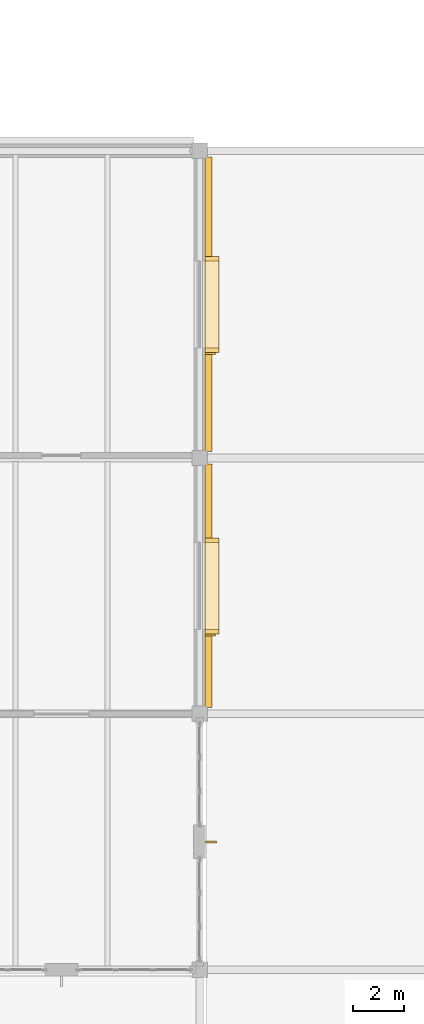
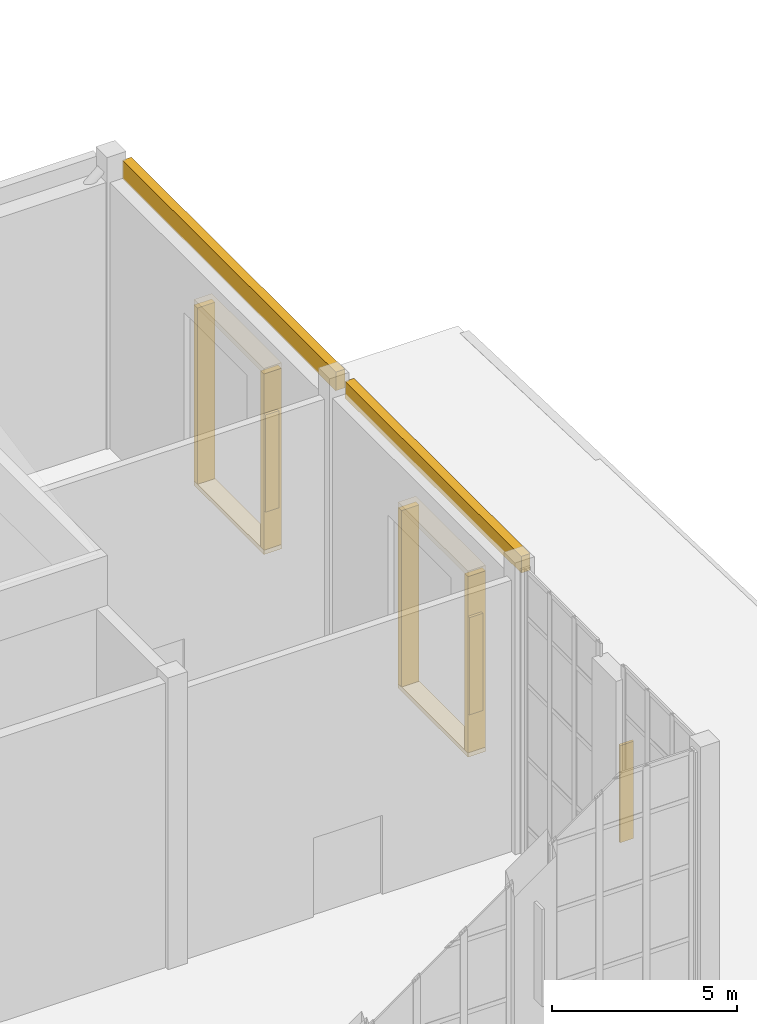
# One storey, part 100 of 100: 10 coverings, 3 shading devices.
"""IFC4 building model written with IfcOpenShell, lengths in metres."""

from ifc_helpers import new_model, si_unit, direction, frame, origin, origin_2d, place, context, subcontext, project, spatial, rectangle, extrude, material, layer, layer_set, type_object, element, save


model = new_model("IFC4")

# Units and contexts
model_context = context("Model", 3, precision=1e-05, world=origin(), true_north=direction((0.0, 1.0)))
body_context = subcontext(model_context, "Body", "Model", "MODEL_VIEW")
ifc_project = project(units=[si_unit("LENGTHUNIT", "METRE"), si_unit("AREAUNIT", "SQUARE_METRE"), si_unit("VOLUMEUNIT", "CUBIC_METRE"), si_unit("PLANEANGLEUNIT", "RADIAN"), si_unit("MASSUNIT", "GRAM", prefix="KILO")], contexts=[model_context])

# Site, building, storey
site_placement = place(None, origin())
site = spatial("IfcSite", under=ifc_project, at=site_placement, CompositionType="ELEMENT")
building_placement = place(site_placement, origin())
building = spatial("IfcBuilding", under=site, at=building_placement, Name="Tasgan Crest Museum", CompositionType="ELEMENT")
storey_placement = place(building_placement, frame((0.0, 0.0, 14.39990234375)))
storey = spatial("IfcBuildingStorey", under=building, at=storey_placement, Name="L03", CompositionType="ELEMENT", Elevation=14.39990234375)

# Coverings
ifc_material_1 = material(Name="Honed Rose-Red Mongolian Granite", Category="masonry")
ifc_layer_1 = layer(ifc_material_1, 0.0400390625, Name="COV-GRANITE-ROSE")
ifc_layer_set_1 = layer_set([ifc_layer_1], Name="Honed Rose-Red Mongolian Granite")
covering_type_1 = type_object("IfcCoveringType", Name="COV-GRANITE-ROSE", PredefinedType="CLADDING", material=ifc_layer_set_1)
for number, where, z_axis, x_axis, name in (
    (1, (130.0849609375, 43.2099609375, 1.10009765625), (0.0, 0.0, 1.0), (0.0, 1.0, 0.0), "Deep window reveal jamb L03-048"),
    (2, (130.0849609375, 46.7900390625, 1.10009765625), (0.0, 0.0, 1.0), (0.0, 1.0, 0.0), "Deep window reveal jamb L03-048"),
    (3, (130.0849609375, 54.2099609375, 1.10009765625), (0.0, 0.0, 1.0), (0.0, 1.0, 0.0), "Deep window reveal jamb L03-049"),
    (4, (130.0849609375, 57.7900390625, 1.10009765625), (0.0, 0.0, 1.0), (0.0, 1.0, 0.0), "Deep window reveal jamb L03-049"),
):
    element("IfcCovering", number, at=place(storey_placement, frame(where, z_axis=z_axis, x_axis=x_axis)), inside=storey, type_object=covering_type_1, Name=name, PredefinedType="CLADDING", context=body_context, shape_type="SweptSolid", body=[
        extrude(rectangle(XDim=0.179931640625, YDim=0.550048828125, at=origin_2d()), origin(), (0.0, 0.0, 1.0), 5.800048828125),
    ])
ifc_material_2 = material(Name="Honed Buff Limestone", Category="masonry")
ifc_layer_2 = layer(ifc_material_2, 0.044921875, Name="COV-LIMESTONE-BUFF")
ifc_layer_set_2 = layer_set([ifc_layer_2], Name="Honed Buff Limestone")
covering_type_2 = type_object("IfcCoveringType", Name="COV-LIMESTONE-BUFF", PredefinedType="CLADDING", material=ifc_layer_set_2)
covering_1_placement = place(storey_placement, frame((129.949951171875, 45.0, 8.76025390625), z_axis=(0.0, 0.0, 1.0), x_axis=(0.0, 1.0, 0.0)))
element("IfcCovering", 5, at=covering_1_placement, inside=storey, type_object=covering_type_2, Name="Stone frieze cladding L03", PredefinedType="CLADDING", context=body_context, shape_type="SweptSolid", body=[
    extrude(rectangle(XDim=9.510009765625, YDim=0.280029296875, at=origin_2d()), origin(), (0.0, 0.0, 1.0), 0.550048828125),
])
covering_2_placement = place(storey_placement, frame((130.0849609375, 45.0, 6.89990234375), z_axis=(0.0, 0.0, 1.0), x_axis=(0.0, 1.0, 0.0)))
element("IfcCovering", 6, at=covering_2_placement, inside=storey, type_object=covering_type_2, Name="Deep window hood L03-048", PredefinedType="CLADDING", context=body_context, shape_type="SweptSolid", body=[
    extrude(rectangle(XDim=3.760009765625, YDim=0.550048828125, at=origin_2d()), origin(), (0.0, 0.0, 1.0), 0.179931640625),
])
covering_3_placement = place(storey_placement, frame((130.0849609375, 45.0, 0.9599609375), z_axis=(0.0, 0.0, 1.0), x_axis=(0.0, 1.0, 0.0)))
element("IfcCovering", 7, at=covering_3_placement, inside=storey, type_object=covering_type_2, Name="Deep window sill L03-048", PredefinedType="CLADDING", context=body_context, shape_type="SweptSolid", body=[
    extrude(rectangle(XDim=3.760009765625, YDim=0.550048828125, at=origin_2d()), origin(), (0.0, 0.0, 1.0), 0.139892578125),
])
covering_4_placement = place(storey_placement, frame((129.949951171875, 56.0, 8.69921875), z_axis=(0.0, 0.0, 1.0), x_axis=(0.0, 1.0, 0.0)))
element("IfcCovering", 8, at=covering_4_placement, inside=storey, type_object=covering_type_2, Name="Stone frieze cladding L03", PredefinedType="CLADDING", context=body_context, shape_type="SweptSolid", body=[
    extrude(rectangle(XDim=11.510009765625, YDim=0.280029296875, at=origin_2d()), origin(), (0.0, 0.0, 1.0), 0.611083984375),
])
covering_5_placement = place(storey_placement, frame((130.0849609375, 56.0, 6.89990234375), z_axis=(0.0, 0.0, 1.0), x_axis=(0.0, 1.0, 0.0)))
element("IfcCovering", 9, at=covering_5_placement, inside=storey, type_object=covering_type_2, Name="Deep window hood L03-049", PredefinedType="CLADDING", context=body_context, shape_type="SweptSolid", body=[
    extrude(rectangle(XDim=3.760009765625, YDim=0.550048828125, at=origin_2d()), origin(), (0.0, 0.0, 1.0), 0.179931640625),
])
covering_6_placement = place(storey_placement, frame((130.0849609375, 56.0, 0.9599609375), z_axis=(0.0, 0.0, 1.0), x_axis=(0.0, 1.0, 0.0)))
element("IfcCovering", 10, at=covering_6_placement, inside=storey, type_object=covering_type_2, Name="Deep window sill L03-049", PredefinedType="CLADDING", context=body_context, shape_type="SweptSolid", body=[
    extrude(rectangle(XDim=3.760009765625, YDim=0.550048828125, at=origin_2d()), origin(), (0.0, 0.0, 1.0), 0.139892578125),
])

# Shading devices
ifc_material_3 = material(Name="Anodised Bronze Aluminium", Category="aluminium")
shading_device_type = type_object("IfcShadingDeviceType", Name="SH-FIN-V400", PredefinedType="JALOUSIE", material=ifc_material_3)
for number, where, z_axis, x_axis, name in (
    (11, (130.050048828125, 35.0, 3.080078125), (0.0, 0.0, 1.0), (0.0, 1.0, 0.0), "Facade pier solar fin L03"),
    (12, (130.02001953125, 43.080078125, 2.39990234375), (0.0, 0.0, 1.0), (0.0, 1.0, 0.0), "Solar shading fin L03-048"),
    (13, (130.02001953125, 54.080078125, 2.39990234375), (0.0, 0.0, 1.0), (0.0, 1.0, 0.0), "Solar shading fin L03-049"),
):
    element("IfcShadingDevice", number, at=place(storey_placement, frame(where, z_axis=z_axis, x_axis=x_axis)), inside=storey, type_object=shading_device_type, Name=name, PredefinedType="JALOUSIE", context=body_context, shape_type="SweptSolid", body=[
        extrude(rectangle(XDim=0.080078125, YDim=0.419921875, at=origin_2d()), origin(), (0.0, 0.0, 1.0), 3.199951171875),
    ])

save(model, "model.ifc")
